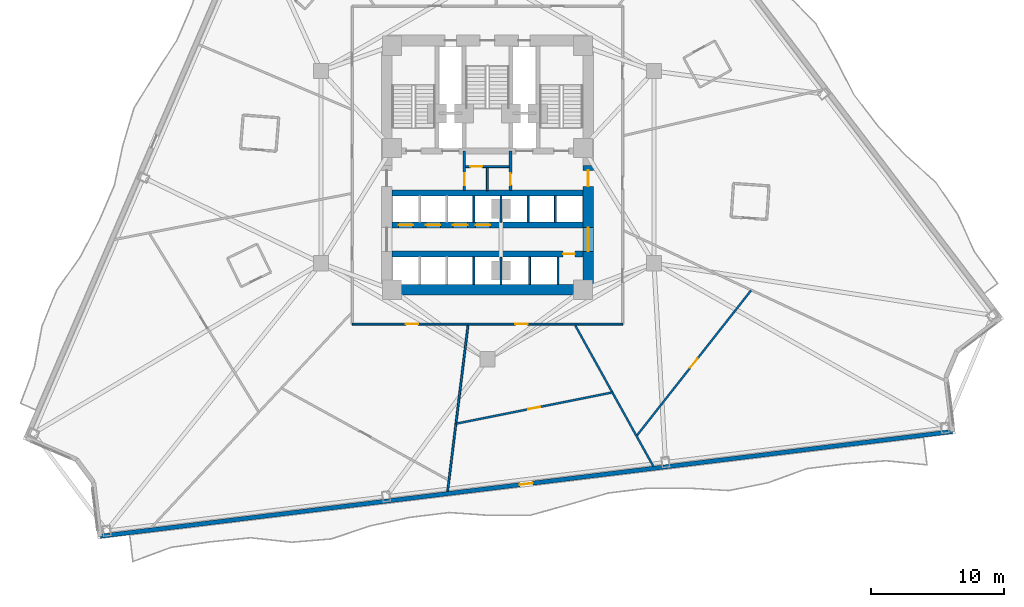
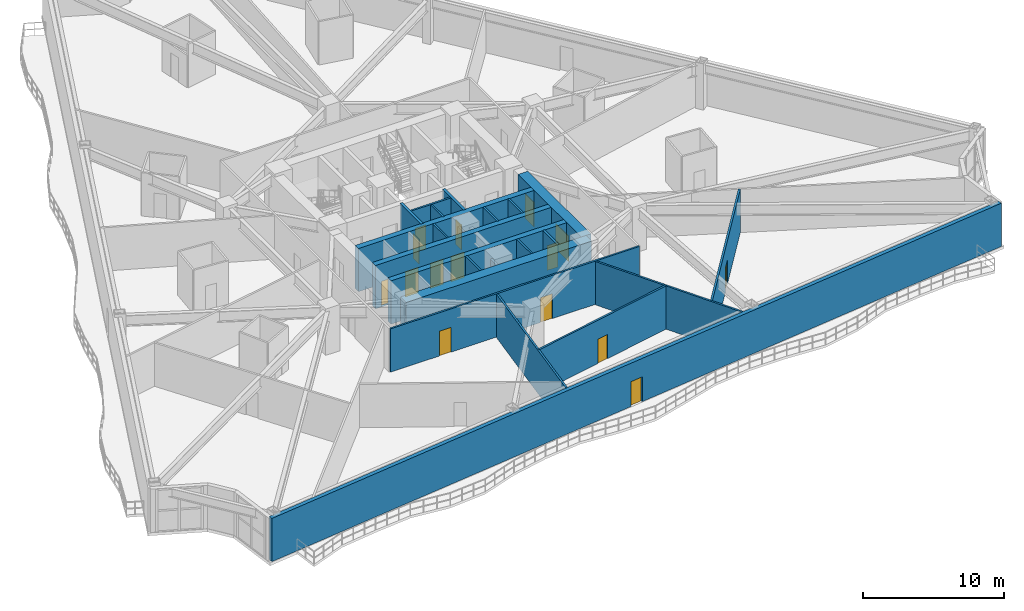
# One storey, part 8 of 17: 23 walls, 15 doors, 15 openings.
"""IFC4 building model written with IfcOpenShell, lengths in metres."""

from ifc_helpers import new_model, si_unit, direction, frame, frame_2d, origin, place, context, subcontext, project, spatial, rectangle, extrude, material, layer, layer_set, type_object, element, fill, save


model = new_model("IFC4")

# Units and contexts
model_context = context("Model", 3, precision=1e-05, world=origin(), true_north=direction((0.0, 1.0)))
body_context = subcontext(model_context, "Body", "Model", "MODEL_VIEW")
ifc_project = project(units=[si_unit("LENGTHUNIT", "METRE"), si_unit("AREAUNIT", "SQUARE_METRE"), si_unit("VOLUMEUNIT", "CUBIC_METRE"), si_unit("PLANEANGLEUNIT", "RADIAN"), si_unit("MASSUNIT", "GRAM", prefix="KILO")], contexts=[model_context])

# Site, building, storey
site_placement = place(None, origin())
site = spatial("IfcSite", under=ifc_project, at=site_placement, CompositionType="ELEMENT")
building_placement = place(site_placement, origin())
building = spatial("IfcBuilding", under=site, at=building_placement, Name="Apsidion Concourse Tower", CompositionType="ELEMENT")
storey_placement = place(building_placement, frame((0.0, 0.0, 75.0)))
storey = spatial("IfcBuildingStorey", under=building, at=storey_placement, Name="L16", CompositionType="ELEMENT", Elevation=75.0)

# Wall, opening, door
ifc_material_1 = material(Name="Precast concrete C40/50", Category="concrete")
ifc_layer_1 = layer(ifc_material_1, 0.320068359375)
ifc_layer_set_1 = layer_set([ifc_layer_1], Name="Precast concrete C40/50")
wall_type_1 = type_object("IfcWallType", Name="WL-EXT-320", PredefinedType="STANDARD", material=ifc_layer_set_1)
wall_1_placement = place(storey_placement, frame((35.0908203125, -19.961181640625, 0.0), z_axis=(0.0, 0.0, 1.0), x_axis=(-0.992546286146, -0.121868247946, 0.0)))
wall_1 = element("IfcWall", 1, at=wall_1_placement, inside=storey, type_object=wall_type_1, Name="L16 Precast Stone Facade Wall 05", PredefinedType="STANDARD", context=body_context, shape_type="SweptSolid", body=[
    extrude(rectangle(XDim=64.793212890625, YDim=0.320068359375, at=frame_2d((32.396484375, 0.0))), origin(), (0.0, 0.0, 1.0), 3.75),
])
opening_1_placement = place(wall_1_placement, frame((31.896728515625, 0.0, 0.0)))
opening_1 = element("IfcOpeningElement", 2, at=opening_1_placement, cuts=wall_1, Name="Opening D-T1R", PredefinedType="OPENING", context=body_context, shape_type="SweptSolid", body=[
    extrude(rectangle(XDim=1.0, YDim=2.14990234375, at=frame_2d((0.5, 1.074951171875))), frame((0.0, 0.169921875, 0.0), z_axis=(0.0, -1.0, 0.0), x_axis=(1.0, 0.0, 0.0)), (0.0, 0.0, 1.0), 0.340087890625),
])
ifc_material_2 = material(Name="Anodised aluminium EN AW-6063 T6", Category="aluminium")
door_type_1 = type_object("IfcDoorType", Name="DR-TER-1022R", OperationType="SINGLE_SWING_RIGHT", PredefinedType="DOOR", material=ifc_material_2)
door_1_placement = place(opening_1_placement, origin())
door_1 = element("IfcDoor", 3, at=door_1_placement, inside=storey, type_object=door_type_1, Name="L16 Balcony Access Door 2", OperationType="SINGLE_SWING_RIGHT", OverallHeight=2.14990234375, OverallWidth=1.0, PredefinedType="DOOR", context=body_context, shape_type="SweptSolid", body=[
    extrude(rectangle(XDim=1.0, YDim=2.14990234375, at=frame_2d((0.5, 1.074951171875))), frame((0.0, 0.02490234375, 0.0), z_axis=(0.0, -1.0, 0.0), x_axis=(1.0, 0.0, 0.0)), (0.0, 0.0, 1.0), 0.050048828125),
])
fill(opening_1, door_1)

# Walls
ifc_material_3 = material(Name="Gypsum plasterboard partition")
ifc_layer_2 = layer(ifc_material_3, 0.14990234375)
ifc_layer_set_2 = layer_set([ifc_layer_2], Name="Gypsum plasterboard partition")
wall_type_2 = type_object("IfcWallType", Name="WL-INT-PAR-150", PredefinedType="PARTITIONING", material=ifc_layer_set_2)
for number, where, z_axis, x_axis, name in (
    (4, (-1.02490234375, -4.179931640625, 0.0), (0.0, 0.0, 1.0), (0.0, 1.0, 0.0), "L16 Interior Partition WL-L16-B1DIV-3"),
    (5, (3.074951171875, -4.179931640625, 0.0), (0.0, 0.0, 1.0), (0.0, 1.0, 0.0), "L16 Interior Partition WL-L16-B3DIV-1"),
    (6, (5.125, -4.179931640625, 0.0), (0.0, 0.0, 1.0), (0.0, 1.0, 0.0), "L16 Interior Partition WL-L16-B3DIV-2"),
):
    element("IfcWall", number, at=place(storey_placement, frame(where, z_axis=z_axis, x_axis=x_axis)), inside=storey, type_object=wall_type_2, Name=name, PredefinedType="PARTITIONING", context=body_context, shape_type="SweptSolid", body=[
        extrude(rectangle(XDim=2.030029296875, YDim=0.14990234375, at=frame_2d((1.01513671875, 0.0))), origin(), (0.0, 0.0, 1.0), 3.75),
    ])
for number, where, z_axis, x_axis, name in (
    (7, (-1.02490234375, -8.85009765625, 0.0), (0.0, 0.0, 1.0), (0.0, 1.0, 0.0), "L16 Interior Partition WL-L16-B2DIV-3"),
    (8, (3.175048828125, -8.85009765625, 0.0), (0.0, 0.0, 1.0), (0.0, 1.0, 0.0), "L16 Interior Partition WL-L16-SHDIV-1"),
):
    element("IfcWall", number, at=place(storey_placement, frame(where, z_axis=z_axis, x_axis=x_axis)), inside=storey, type_object=wall_type_2, Name=name, PredefinedType="PARTITIONING", context=body_context, shape_type="SweptSolid", body=[
        extrude(rectangle(XDim=2.080078125, YDim=0.14990234375, at=frame_2d((1.0400390625, 0.0))), origin(), (0.0, 0.0, 1.0), 3.75),
    ])

# Wall, opening, door
wall_2_placement = place(storey_placement, frame((-1.639892578125, 0.0400390625, 0.0), z_axis=(0.0, 0.0, 1.0), x_axis=(1.0, 0.0, 0.0)))
wall_2 = element("IfcWall", 9, at=wall_2_placement, inside=storey, type_object=wall_type_2, Name="L16 Interior Partition WL-L16-K4H", PredefinedType="PARTITIONING", context=body_context, shape_type="SweptSolid", body=[
    extrude(rectangle(XDim=3.27978515625, YDim=0.14990234375, at=frame_2d((1.639892578125, 0.0))), origin(), (0.0, 0.0, 1.0), 3.75),
])
opening_2_placement = place(wall_2_placement, frame((0.360107421875, 0.0, 0.0)))
opening_2 = element("IfcOpeningElement", 10, at=opening_2_placement, cuts=wall_2, Name="Opening D-03L", PredefinedType="OPENING", context=body_context, shape_type="SweptSolid", body=[
    extrude(rectangle(XDim=0.8798828125, YDim=2.10009765625, at=frame_2d((0.43994140625, 1.050048828125))), frame((0.0, 0.0849609375, 0.0), z_axis=(0.0, -1.0, 0.0), x_axis=(1.0, 0.0, 0.0)), (0.0, 0.0, 1.0), 0.169921875),
])
door_type_2 = type_object("IfcDoorType", Name="DR-INT-D03L", OperationType="SINGLE_SWING_LEFT", PredefinedType="DOOR", material=ifc_material_2)
door_2_placement = place(opening_2_placement, origin())
door_2 = element("IfcDoor", 11, at=door_2_placement, inside=storey, type_object=door_type_2, Name="L16 Core Telecoms Door", OperationType="SINGLE_SWING_LEFT", OverallHeight=2.10009765625, OverallWidth=0.8798828125, PredefinedType="DOOR", context=body_context, shape_type="SweptSolid", body=[
    extrude(rectangle(XDim=0.8798828125, YDim=2.10009765625, at=frame_2d((0.43994140625, 1.050048828125))), frame((0.0, 0.02490234375, 0.0), z_axis=(0.0, -1.0, 0.0), x_axis=(1.0, 0.0, 0.0)), (0.0, 0.0, 1.0), 0.050048828125),
])
fill(opening_2, door_2)

# Wall
wall_3_placement = place(storey_placement, frame((0.0, -1.780029296875, 0.0), z_axis=(0.0, 0.0, 1.0), x_axis=(0.0, 1.0, 0.0)))
element("IfcWall", 12, at=wall_3_placement, inside=storey, type_object=wall_type_2, Name="L16 Interior Partition WL-L16-K4V", PredefinedType="PARTITIONING", context=body_context, shape_type="SweptSolid", body=[
    extrude(rectangle(XDim=1.72998046875, YDim=0.14990234375, at=frame_2d((0.864990234375, 0.0))), origin(), (0.0, 0.0, 1.0), 3.75),
])

# Wall, openings, doors
wall_4_placement = place(storey_placement, frame((10.199951171875, -11.85009765625, 0.0), z_axis=(0.0, 0.0, 1.0), x_axis=(-1.0, 0.0, 0.0)))
wall_4 = element("IfcWall", 13, at=wall_4_placement, inside=storey, type_object=wall_type_2, Name="L16 Interior Partition WL-L16-CORR-03", PredefinedType="PARTITIONING", context=body_context, shape_type="SweptSolid", body=[
    extrude(rectangle(XDim=20.39990234375, YDim=0.14990234375, at=frame_2d((10.199951171875, 0.0))), origin(), (0.0, 0.0, 1.0), 3.75),
])
opening_3_placement = place(wall_4_placement, frame((15.430908203125, 0.0, 0.0)))
opening_3 = element("IfcOpeningElement", 14, at=opening_3_placement, cuts=wall_4, Name="Opening D-01R", PredefinedType="OPENING", context=body_context, shape_type="SweptSolid", body=[
    extrude(rectangle(XDim=0.949951171875, YDim=2.14990234375, at=frame_2d((0.47509765625, 1.074951171875))), frame((0.0, 0.0849609375, 0.0), z_axis=(0.0, -1.0, 0.0), x_axis=(1.0, 0.0, 0.0)), (0.0, 0.0, 1.0), 0.169921875),
])
opening_4_placement = place(wall_4_placement, frame((7.1484375, 0.0, 0.0)))
opening_4 = element("IfcOpeningElement", 15, at=opening_4_placement, cuts=wall_4, Name="Opening D-01L", PredefinedType="OPENING", context=body_context, shape_type="SweptSolid", body=[
    extrude(rectangle(XDim=0.949951171875, YDim=2.14990234375, at=frame_2d((0.47509765625, 1.074951171875))), frame((0.0, 0.0849609375, 0.0), z_axis=(0.0, -1.0, 0.0), x_axis=(1.0, 0.0, 0.0)), (0.0, 0.0, 1.0), 0.169921875),
])
ifc_material_4 = material(Name="Brushed stainless steel 316", Category="steel")
door_type_3 = type_object("IfcDoorType", Name="DR-INT-D01L", OperationType="SINGLE_SWING_LEFT", PredefinedType="DOOR", material=ifc_material_4)
door_3_placement = place(opening_4_placement, origin())
door_3 = element("IfcDoor", 16, at=door_3_placement, inside=storey, type_object=door_type_3, Name="L16 Corridor Entry Door 03", OperationType="SINGLE_SWING_LEFT", OverallHeight=2.14990234375, OverallWidth=0.949951171875, PredefinedType="DOOR", context=body_context, shape_type="SweptSolid", body=[
    extrude(rectangle(XDim=0.949951171875, YDim=2.14990234375, at=frame_2d((0.47509765625, 1.074951171875))), frame((0.0, 0.02490234375, 0.0), z_axis=(0.0, -1.0, 0.0), x_axis=(1.0, 0.0, 0.0)), (0.0, 0.0, 1.0), 0.050048828125),
])
fill(opening_4, door_3)
door_type_4 = type_object("IfcDoorType", Name="DR-INT-D01R", OperationType="SINGLE_SWING_RIGHT", PredefinedType="DOOR", material=ifc_material_4)
door_4_placement = place(opening_3_placement, origin())
door_4 = element("IfcDoor", 17, at=door_4_placement, inside=storey, type_object=door_type_4, Name="L16 Corridor Entry Door 02", OperationType="SINGLE_SWING_RIGHT", OverallHeight=2.14990234375, OverallWidth=0.949951171875, PredefinedType="DOOR", context=body_context, shape_type="SweptSolid", body=[
    extrude(rectangle(XDim=0.949951171875, YDim=2.14990234375, at=frame_2d((0.47509765625, 1.074951171875))), frame((0.0, 0.02490234375, 0.0), z_axis=(0.0, -1.0, 0.0), x_axis=(1.0, 0.0, 0.0)), (0.0, 0.0, 1.0), 0.050048828125),
])
fill(opening_3, door_4)

# Walls
wall_5_placement = place(storey_placement, frame((-1.468017578125, -11.955078125, 0.0), z_axis=(0.0, 0.0, 1.0), x_axis=(-0.121866856939, -0.992546456938, 0.0)))
element("IfcWall", 18, at=wall_5_placement, inside=storey, type_object=wall_type_2, Name="L16 Interior Partition WL-L16-RAD-08-1", PredefinedType="PARTITIONING", context=body_context, shape_type="SweptSolid", body=[
    extrude(rectangle(XDim=12.60107421875, YDim=0.14990234375, at=frame_2d((6.300537109375, 0.0))), origin(), (0.0, 0.0, 1.0), 3.75),
])
wall_6_placement = place(storey_placement, frame((6.626708984375, -11.955078125, 0.0), z_axis=(0.0, 0.0, 1.0), x_axis=(0.484815133675, -0.874616650973, 0.0)))
element("IfcWall", 19, at=wall_6_placement, inside=storey, type_object=wall_type_2, Name="L16 Interior Partition WL-L16-RAD-09-1", PredefinedType="PARTITIONING", context=body_context, shape_type="SweptSolid", body=[
    extrude(rectangle(XDim=12.123046875, YDim=0.14990234375, at=frame_2d((6.0615234375, 0.0))), origin(), (0.0, 0.0, 1.0), 3.75),
])

# Wall, opening, door
wall_7_placement = place(storey_placement, frame((-2.351806640625, -19.359130859375, 0.0), z_axis=(0.0, 0.0, 1.0), x_axis=(0.980583809713, 0.196100464376, 0.0)))
wall_7 = element("IfcWall", 20, at=wall_7_placement, inside=storey, type_object=wall_type_2, Name="L16 Interior Partition WL-L16-CHD-HXS02", PredefinedType="PARTITIONING", context=body_context, shape_type="SweptSolid", body=[
    extrude(rectangle(XDim=11.984130859375, YDim=0.14990234375, at=frame_2d((5.9921875, 0.0))), origin(), (0.0, 0.0, 1.0), 3.75),
])
opening_5_placement = place(wall_7_placement, frame((5.5419921875, 0.0, 0.0)))
opening_5 = element("IfcOpeningElement", 21, at=opening_5_placement, cuts=wall_7, Name="Opening D-02R", PredefinedType="OPENING", context=body_context, shape_type="SweptSolid", body=[
    extrude(rectangle(XDim=0.89990234375, YDim=2.10009765625, at=frame_2d((0.449951171875, 1.050048828125))), frame((0.0, 0.0849609375, 0.0), z_axis=(0.0, -1.0, 0.0), x_axis=(1.0, 0.0, 0.0)), (0.0, 0.0, 1.0), 0.169921875),
])
door_type_5 = type_object("IfcDoorType", Name="DR-INT-D02R", OperationType="SINGLE_SWING_RIGHT", PredefinedType="DOOR", material=ifc_material_2)
door_5_placement = place(opening_5_placement, origin())
door_5 = element("IfcDoor", 22, at=door_5_placement, inside=storey, type_object=door_type_5, Name="L16 Suite Connecting Door HXS02", OperationType="SINGLE_SWING_RIGHT", OverallHeight=2.10009765625, OverallWidth=0.89990234375, PredefinedType="DOOR", context=body_context, shape_type="SweptSolid", body=[
    extrude(rectangle(XDim=0.89990234375, YDim=2.10009765625, at=frame_2d((0.449951171875, 1.050048828125))), frame((0.0, 0.02490234375, 0.0), z_axis=(0.0, -1.0, 0.0), x_axis=(1.0, 0.0, 0.0)), (0.0, 0.0, 1.0), 0.050048828125),
])
fill(opening_5, door_5)

wall_8_placement = place(storey_placement, frame((11.265380859375, -20.271484375, 0.0), z_axis=(0.0, 0.0, 1.0), x_axis=(0.618279646064, 0.785958191803, 0.0)))
wall_8 = element("IfcWall", 23, at=wall_8_placement, inside=storey, type_object=wall_type_2, Name="L16 Interior Partition WL-L16-CHD-HXS03", PredefinedType="PARTITIONING", context=body_context, shape_type="SweptSolid", body=[
    extrude(rectangle(XDim=13.954345703125, YDim=0.14990234375, at=frame_2d((6.97705078125, 0.0))), origin(), (0.0, 0.0, 1.0), 3.75),
])
opening_6_placement = place(wall_8_placement, frame((6.52734375, 0.0, 0.0)))
opening_6 = element("IfcOpeningElement", 24, at=opening_6_placement, cuts=wall_8, Name="Opening D-02L", PredefinedType="OPENING", context=body_context, shape_type="SweptSolid", body=[
    extrude(rectangle(XDim=0.89990234375, YDim=2.10009765625, at=frame_2d((0.449951171875, 1.050048828125))), frame((0.0, 0.0849609375, 0.0), z_axis=(0.0, -1.0, 0.0), x_axis=(1.0, 0.0, 0.0)), (0.0, 0.0, 1.0), 0.169921875),
])
door_type_6 = type_object("IfcDoorType", Name="DR-INT-D02L", OperationType="SINGLE_SWING_LEFT", PredefinedType="DOOR", material=ifc_material_2)
door_6_placement = place(opening_6_placement, origin())
door_6 = element("IfcDoor", 25, at=door_6_placement, inside=storey, type_object=door_type_6, Name="L16 Suite Connecting Door HXS03", OperationType="SINGLE_SWING_LEFT", OverallHeight=2.10009765625, OverallWidth=0.89990234375, PredefinedType="DOOR", context=body_context, shape_type="SweptSolid", body=[
    extrude(rectangle(XDim=0.89990234375, YDim=2.10009765625, at=frame_2d((0.449951171875, 1.050048828125))), frame((0.0, 0.02490234375, 0.0), z_axis=(0.0, -1.0, 0.0), x_axis=(1.0, 0.0, 0.0)), (0.0, 0.0, 1.0), 0.050048828125),
])
fill(opening_6, door_6)

# Walls
ifc_layer_3 = layer(ifc_material_3, 0.179931640625)
ifc_layer_set_3 = layer_set([ifc_layer_3], Name="Gypsum plasterboard partition")
wall_type_3 = type_object("IfcWallType", Name="WL-INT-PAR-180", PredefinedType="PARTITIONING", material=ifc_layer_set_3)
wall_9_placement = place(storey_placement, frame((1.02490234375, -4.179931640625, 0.0), z_axis=(0.0, 0.0, 1.0), x_axis=(0.0, 1.0, 0.0)))
element("IfcWall", 26, at=wall_9_placement, inside=storey, type_object=wall_type_3, Name="L16 Interior Partition WL-L16-B1END", PredefinedType="PARTITIONING", context=body_context, shape_type="SweptSolid", body=[
    extrude(rectangle(XDim=2.030029296875, YDim=0.179931640625, at=frame_2d((1.01513671875, 0.0))), origin(), (0.0, 0.0, 1.0), 2.798095703125),
])
wall_10_placement = place(storey_placement, frame((1.02490234375, -8.85009765625, 0.0), z_axis=(0.0, 0.0, 1.0), x_axis=(0.0, 1.0, 0.0)))
element("IfcWall", 27, at=wall_10_placement, inside=storey, type_object=wall_type_3, Name="L16 Interior Partition WL-L16-B2END", PredefinedType="PARTITIONING", context=body_context, shape_type="SweptSolid", body=[
    extrude(rectangle(XDim=2.080078125, YDim=0.179931640625, at=frame_2d((1.0400390625, 0.0))), origin(), (0.0, 0.0, 1.0), 2.798095703125),
])
wall_11_placement = place(storey_placement, frame((5.324951171875, -8.85009765625, 0.0), z_axis=(0.0, 0.0, 1.0), x_axis=(0.0, 1.0, 0.0)))
element("IfcWall", 28, at=wall_11_placement, inside=storey, type_object=wall_type_3, Name="L16 Interior Partition WL-L16-SHDIV-2", PredefinedType="PARTITIONING", context=body_context, shape_type="SweptSolid", body=[
    extrude(rectangle(XDim=2.080078125, YDim=0.179931640625, at=frame_2d((1.0400390625, 0.0))), origin(), (0.0, 0.0, 1.0), 3.75),
])

# Wall, opening, door
ifc_layer_4 = layer(ifc_material_3, 0.199951171875)
ifc_layer_set_4 = layer_set([ifc_layer_4], Name="Gypsum plasterboard partition")
wall_type_4 = type_object("IfcWallType", Name="WL-INT-PAR-200", PredefinedType="PARTITIONING", material=ifc_layer_set_4)
wall_12_placement = place(storey_placement, frame((-1.739990234375, -1.780029296875, 0.0), z_axis=(0.0, 0.0, 1.0), x_axis=(0.0, 1.0, 0.0)))
wall_12 = element("IfcWall", 29, at=wall_12_placement, inside=storey, type_object=wall_type_4, Name="L16 Interior Partition WL-L16-FF1-E", PredefinedType="PARTITIONING", context=body_context, shape_type="SweptSolid", body=[
    extrude(rectangle(XDim=2.97998046875, YDim=0.199951171875, at=frame_2d((1.489990234375, 0.0))), origin(), (0.0, 0.0, 1.0), 3.75),
])
opening_7_placement = place(wall_12_placement, frame((0.419921875, 0.0, 0.0)))
opening_7 = element("IfcOpeningElement", 30, at=opening_7_placement, cuts=wall_12, Name="Opening D-05R", PredefinedType="OPENING", context=body_context, shape_type="SweptSolid", body=[
    extrude(rectangle(XDim=0.8798828125, YDim=2.14990234375, at=frame_2d((0.43994140625, 1.074951171875))), frame((0.0, 0.10986328125, 0.0), z_axis=(0.0, -1.0, 0.0), x_axis=(1.0, 0.0, 0.0)), (0.0, 0.0, 1.0), 0.219970703125),
])
door_type_7 = type_object("IfcDoorType", Name="DR-INT-D05R", OperationType="SINGLE_SWING_RIGHT", PredefinedType="DOOR", material=ifc_material_4)
door_7_placement = place(opening_7_placement, origin())
door_7 = element("IfcDoor", 31, at=door_7_placement, inside=storey, type_object=door_type_7, Name="L16 Core Switch Room Door", OperationType="SINGLE_SWING_RIGHT", OverallHeight=2.14990234375, OverallWidth=0.8798828125, PredefinedType="DOOR", context=body_context, shape_type="SweptSolid", body=[
    extrude(rectangle(XDim=0.8798828125, YDim=2.14990234375, at=frame_2d((0.43994140625, 1.074951171875))), frame((0.0, 0.02490234375, 0.0), z_axis=(0.0, -1.0, 0.0), x_axis=(1.0, 0.0, 0.0)), (0.0, 0.0, 1.0), 0.050048828125),
])
fill(opening_7, door_7)

wall_13_placement = place(storey_placement, frame((1.739990234375, -1.780029296875, 0.0), z_axis=(0.0, 0.0, 1.0), x_axis=(0.0, 1.0, 0.0)))
wall_13 = element("IfcWall", 32, at=wall_13_placement, inside=storey, type_object=wall_type_4, Name="L16 Interior Partition WL-L16-FF2-W", PredefinedType="PARTITIONING", context=body_context, shape_type="SweptSolid", body=[
    extrude(rectangle(XDim=2.97998046875, YDim=0.199951171875, at=frame_2d((1.489990234375, 0.0))), origin(), (0.0, 0.0, 1.0), 3.75),
])
opening_8_placement = place(wall_13_placement, frame((0.419921875, 0.0, 0.0)))
opening_8 = element("IfcOpeningElement", 33, at=opening_8_placement, cuts=wall_13, Name="Opening D-05L", PredefinedType="OPENING", context=body_context, shape_type="SweptSolid", body=[
    extrude(rectangle(XDim=0.8798828125, YDim=2.14990234375, at=frame_2d((0.43994140625, 1.074951171875))), frame((0.0, 0.10986328125, 0.0), z_axis=(0.0, -1.0, 0.0), x_axis=(1.0, 0.0, 0.0)), (0.0, 0.0, 1.0), 0.219970703125),
])
door_type_8 = type_object("IfcDoorType", Name="DR-INT-D05L", OperationType="SINGLE_SWING_LEFT", PredefinedType="DOOR", material=ifc_material_4)
door_8_placement = place(opening_8_placement, origin())
door_8 = element("IfcDoor", 34, at=door_8_placement, inside=storey, type_object=door_type_8, Name="L16 Core First Aid Door", OperationType="SINGLE_SWING_LEFT", OverallHeight=2.14990234375, OverallWidth=0.8798828125, PredefinedType="DOOR", context=body_context, shape_type="SweptSolid", body=[
    extrude(rectangle(XDim=0.8798828125, YDim=2.14990234375, at=frame_2d((0.43994140625, 1.074951171875))), frame((0.0, 0.02490234375, 0.0), z_axis=(0.0, -1.0, 0.0), x_axis=(1.0, 0.0, 0.0)), (0.0, 0.0, 1.0), 0.050048828125),
])
fill(opening_8, door_8)

# Wall
ifc_material_5 = material(Name="Concrete C60/75", Category="concrete")
ifc_layer_5 = layer(ifc_material_5, 0.449951171875)
ifc_layer_set_5 = layer_set([ifc_layer_5], Name="Concrete C60/75")
wall_type_5 = type_object("IfcWallType", Name="WL-SH-450", PredefinedType="SHEAR", material=ifc_layer_set_5)
wall_14_placement = place(storey_placement, frame((-7.199951171875, -1.949951171875, 0.0), z_axis=(0.0, 0.0, 1.0), x_axis=(1.0, 0.0, 0.0)))
element("IfcWall", 35, at=wall_14_placement, inside=storey, type_object=wall_type_5, Name="L16 Central Core Shear Wall M2", PredefinedType="SHEAR", context=body_context, shape_type="SweptSolid", body=[
    extrude(rectangle(XDim=14.39990234375, YDim=0.449951171875, at=frame_2d((7.199951171875, 0.0))), origin(), (0.0, 0.0, 1.0), 3.75),
])

# Wall, openings, doors
wall_15_placement = place(storey_placement, frame((-7.199951171875, -4.3798828125, 0.0), z_axis=(0.0, 0.0, 1.0), x_axis=(1.0, 0.0, 0.0)))
wall_15 = element("IfcWall", 36, at=wall_15_placement, inside=storey, type_object=wall_type_5, Name="L16 Central Core Shear Wall LA", PredefinedType="SHEAR", context=body_context, shape_type="SweptSolid", body=[
    extrude(rectangle(XDim=14.39990234375, YDim=0.449951171875, at=frame_2d((7.199951171875, 0.0))), origin(), (0.0, 0.0, 1.0), 3.75),
])
opening_9_placement = place(wall_15_placement, frame((0.5, 0.0, 0.0)))
opening_9 = element("IfcOpeningElement", 37, at=opening_9_placement, cuts=wall_15, Name="Opening LD-P1", PredefinedType="OPENING", context=body_context, shape_type="SweptSolid", body=[
    extrude(rectangle(XDim=1.10009765625, YDim=2.199951171875, at=frame_2d((0.550048828125, 1.10009765625))), frame((0.0, 0.23486328125, 0.0), z_axis=(0.0, -1.0, 0.0), x_axis=(1.0, 0.0, 0.0)), (0.0, 0.0, 1.0), 0.469970703125),
])
opening_10_placement = place(wall_15_placement, frame((2.550048828125, 0.0, 0.0)))
opening_10 = element("IfcOpeningElement", 38, at=opening_10_placement, cuts=wall_15, Name="Opening LD-P1", PredefinedType="OPENING", context=body_context, shape_type="SweptSolid", body=[
    extrude(rectangle(XDim=1.10009765625, YDim=2.199951171875, at=frame_2d((0.550048828125, 1.10009765625))), frame((0.0, 0.23486328125, 0.0), z_axis=(0.0, -1.0, 0.0), x_axis=(1.0, 0.0, 0.0)), (0.0, 0.0, 1.0), 0.469970703125),
])
opening_11_placement = place(wall_15_placement, frame((4.60009765625, 0.0, 0.0)))
opening_11 = element("IfcOpeningElement", 39, at=opening_11_placement, cuts=wall_15, Name="Opening LD-P1", PredefinedType="OPENING", context=body_context, shape_type="SweptSolid", body=[
    extrude(rectangle(XDim=1.10009765625, YDim=2.199951171875, at=frame_2d((0.550048828125, 1.10009765625))), frame((0.0, 0.23486328125, 0.0), z_axis=(0.0, -1.0, 0.0), x_axis=(1.0, 0.0, 0.0)), (0.0, 0.0, 1.0), 0.469970703125),
])
opening_12_placement = place(wall_15_placement, frame((6.300048828125, 0.0, 0.0)))
opening_12 = element("IfcOpeningElement", 40, at=opening_12_placement, cuts=wall_15, Name="Opening LD-P1", PredefinedType="OPENING", context=body_context, shape_type="SweptSolid", body=[
    extrude(rectangle(XDim=1.10009765625, YDim=2.199951171875, at=frame_2d((0.550048828125, 1.10009765625))), frame((0.0, 0.23486328125, 0.0), z_axis=(0.0, -1.0, 0.0), x_axis=(1.0, 0.0, 0.0)), (0.0, 0.0, 1.0), 0.469970703125),
])
door_type_9 = type_object("IfcDoorType", Name="DR-LD-PASS", OperationType="DOUBLE_DOOR_SLIDING", PredefinedType="DOOR", material=ifc_material_4)
door_9_placement = place(opening_9_placement, origin())
door_9 = element("IfcDoor", 41, at=door_9_placement, inside=storey, type_object=door_type_9, Name="L16 Lift Landing Door P1", OperationType="DOUBLE_DOOR_SLIDING", OverallHeight=2.199951171875, OverallWidth=1.10009765625, PredefinedType="DOOR", context=body_context, shape_type="SweptSolid", body=[
    extrude(rectangle(XDim=1.10009765625, YDim=2.199951171875, at=frame_2d((0.550048828125, 1.10009765625))), frame((0.0, 0.02490234375, 0.0), z_axis=(0.0, -1.0, 0.0), x_axis=(1.0, 0.0, 0.0)), (0.0, 0.0, 1.0), 0.050048828125),
])
fill(opening_9, door_9)
door_10_placement = place(opening_10_placement, origin())
door_10 = element("IfcDoor", 42, at=door_10_placement, inside=storey, type_object=door_type_9, Name="L16 Lift Landing Door P2", OperationType="DOUBLE_DOOR_SLIDING", OverallHeight=2.199951171875, OverallWidth=1.10009765625, PredefinedType="DOOR", context=body_context, shape_type="SweptSolid", body=[
    extrude(rectangle(XDim=1.10009765625, YDim=2.199951171875, at=frame_2d((0.550048828125, 1.10009765625))), frame((0.0, 0.02490234375, 0.0), z_axis=(0.0, -1.0, 0.0), x_axis=(1.0, 0.0, 0.0)), (0.0, 0.0, 1.0), 0.050048828125),
])
fill(opening_10, door_10)
door_11_placement = place(opening_11_placement, origin())
door_11 = element("IfcDoor", 43, at=door_11_placement, inside=storey, type_object=door_type_9, Name="L16 Lift Landing Door P3", OperationType="DOUBLE_DOOR_SLIDING", OverallHeight=2.199951171875, OverallWidth=1.10009765625, PredefinedType="DOOR", context=body_context, shape_type="SweptSolid", body=[
    extrude(rectangle(XDim=1.10009765625, YDim=2.199951171875, at=frame_2d((0.550048828125, 1.10009765625))), frame((0.0, 0.02490234375, 0.0), z_axis=(0.0, -1.0, 0.0), x_axis=(1.0, 0.0, 0.0)), (0.0, 0.0, 1.0), 0.050048828125),
])
fill(opening_11, door_11)
door_12_placement = place(opening_12_placement, origin())
door_12 = element("IfcDoor", 44, at=door_12_placement, inside=storey, type_object=door_type_9, Name="L16 Lift Landing Door P4", OperationType="DOUBLE_DOOR_SLIDING", OverallHeight=2.199951171875, OverallWidth=1.10009765625, PredefinedType="DOOR", context=body_context, shape_type="SweptSolid", body=[
    extrude(rectangle(XDim=1.10009765625, YDim=2.199951171875, at=frame_2d((0.550048828125, 1.10009765625))), frame((0.0, 0.02490234375, 0.0), z_axis=(0.0, -1.0, 0.0), x_axis=(1.0, 0.0, 0.0)), (0.0, 0.0, 1.0), 0.050048828125),
])
fill(opening_12, door_12)

# Wall, opening, door
wall_16_placement = place(storey_placement, frame((-7.199951171875, -6.570068359375, 0.0), z_axis=(0.0, 0.0, 1.0), x_axis=(1.0, 0.0, 0.0)))
wall_16 = element("IfcWall", 45, at=wall_16_placement, inside=storey, type_object=wall_type_5, Name="L16 Central Core Shear Wall LB", PredefinedType="SHEAR", context=body_context, shape_type="SweptSolid", body=[
    extrude(rectangle(XDim=14.39990234375, YDim=0.449951171875, at=frame_2d((7.199951171875, 0.0))), origin(), (0.0, 0.0, 1.0), 3.75),
])
opening_13_placement = place(wall_16_placement, frame((12.909912109375, 0.0, 0.0)))
opening_13 = element("IfcOpeningElement", 46, at=opening_13_placement, cuts=wall_16, Name="Opening D-05L", PredefinedType="OPENING", context=body_context, shape_type="SweptSolid", body=[
    extrude(rectangle(XDim=0.8798828125, YDim=2.14990234375, at=frame_2d((0.43994140625, 1.074951171875))), frame((0.0, 0.23486328125, 0.0), z_axis=(0.0, -1.0, 0.0), x_axis=(1.0, 0.0, 0.0)), (0.0, 0.0, 1.0), 0.469970703125),
])
door_13_placement = place(opening_13_placement, origin())
door_13 = element("IfcDoor", 47, at=door_13_placement, inside=storey, type_object=door_type_8, Name="L16 Cleaners Store Door", OperationType="SINGLE_SWING_LEFT", OverallHeight=2.14990234375, OverallWidth=0.8798828125, PredefinedType="DOOR", context=body_context, shape_type="SweptSolid", body=[
    extrude(rectangle(XDim=0.8798828125, YDim=2.14990234375, at=frame_2d((0.43994140625, 1.074951171875))), frame((0.0, 0.02490234375, 0.0), z_axis=(0.0, -1.0, 0.0), x_axis=(1.0, 0.0, 0.0)), (0.0, 0.0, 1.0), 0.050048828125),
])
fill(opening_13, door_13)

# Wall, openings, doors
ifc_layer_6 = layer(ifc_material_5, 0.800048828125)
ifc_layer_set_6 = layer_set([ifc_layer_6], Name="Concrete C60/75")
wall_type_6 = type_object("IfcWallType", Name="WL-SH-800", PredefinedType="SHEAR", material=ifc_layer_set_6)
wall_17_placement = place(storey_placement, frame((7.60009765625, -8.85009765625, 0.0), z_axis=(0.0, 0.0, 1.0), x_axis=(0.0, 1.0, 0.0)))
wall_17 = element("IfcWall", 48, at=wall_17_placement, inside=storey, type_object=wall_type_6, Name="L16 Central Core Shear Wall ES", PredefinedType="SHEAR", context=body_context, shape_type="SweptSolid", body=[
    extrude(rectangle(XDim=8.9501953125, YDim=0.800048828125, at=frame_2d((4.47509765625, 0.0))), origin(), (0.0, 0.0, 1.0), 3.75),
])
opening_14_placement = place(wall_17_placement, frame((2.489990234375, 0.0, 0.0)))
opening_14 = element("IfcOpeningElement", 49, at=opening_14_placement, cuts=wall_17, Name="Opening D-06D", PredefinedType="OPENING", context=body_context, shape_type="SweptSolid", body=[
    extrude(rectangle(XDim=1.800048828125, YDim=2.199951171875, at=frame_2d((0.89990234375, 1.10009765625))), frame((0.0, 0.41015625, 0.0), z_axis=(0.0, -1.0, 0.0), x_axis=(1.0, 0.0, 0.0)), (0.0, 0.0, 1.0), 0.820068359375),
])
opening_15_placement = place(wall_17_placement, frame((7.39990234375, 0.0, 0.0)))
opening_15 = element("IfcOpeningElement", 50, at=opening_15_placement, cuts=wall_17, Name="Opening D-FFR", PredefinedType="OPENING", context=body_context, shape_type="SweptSolid", body=[
    extrude(rectangle(XDim=1.199951171875, YDim=2.14990234375, at=frame_2d((0.60009765625, 1.074951171875))), frame((0.0, 0.41015625, 0.0), z_axis=(0.0, -1.0, 0.0), x_axis=(1.0, 0.0, 0.0)), (0.0, 0.0, 1.0), 0.820068359375),
])
door_type_10 = type_object("IfcDoorType", Name="DR-INT-D06D", OperationType="DOUBLE_DOOR_SINGLE_SWING", PredefinedType="DOOR", material=ifc_material_4)
door_14_placement = place(opening_14_placement, origin())
door_14 = element("IfcDoor", 51, at=door_14_placement, inside=storey, type_object=door_type_10, Name="L16 Passenger Lift Lobby ES Portal Door", OperationType="DOUBLE_DOOR_SINGLE_SWING", OverallHeight=2.199951171875, OverallWidth=1.800048828125, PredefinedType="DOOR", context=body_context, shape_type="SweptSolid", body=[
    extrude(rectangle(XDim=1.800048828125, YDim=2.199951171875, at=frame_2d((0.89990234375, 1.10009765625))), frame((0.0, 0.02490234375, 0.0), z_axis=(0.0, -1.0, 0.0), x_axis=(1.0, 0.0, 0.0)), (0.0, 0.0, 1.0), 0.050048828125),
])
fill(opening_14, door_14)
door_type_11 = type_object("IfcDoorType", Name="DR-INT-FFR", OperationType="SINGLE_SWING_RIGHT", PredefinedType="DOOR", material=ifc_material_4)
door_15_placement = place(opening_15_placement, origin())
door_15 = element("IfcDoor", 52, at=door_15_placement, inside=storey, type_object=door_type_11, Name="L16 Firefighting Lift Lobby FF2 Door", OperationType="SINGLE_SWING_RIGHT", OverallHeight=2.14990234375, OverallWidth=1.199951171875, PredefinedType="DOOR", context=body_context, shape_type="SweptSolid", body=[
    extrude(rectangle(XDim=1.199951171875, YDim=2.14990234375, at=frame_2d((0.60009765625, 1.074951171875))), frame((0.0, 0.02490234375, 0.0), z_axis=(0.0, -1.0, 0.0), x_axis=(1.0, 0.0, 0.0)), (0.0, 0.0, 1.0), 0.050048828125),
])
fill(opening_15, door_15)

# Wall
wall_18_placement = place(storey_placement, frame((-7.60009765625, -9.25, 0.0), z_axis=(0.0, 0.0, 1.0), x_axis=(1.0, 0.0, 0.0)))
element("IfcWall", 53, at=wall_18_placement, inside=storey, type_object=wall_type_6, Name="L16 Central Core Shear Wall S", PredefinedType="SHEAR", context=body_context, shape_type="SweptSolid", body=[
    extrude(rectangle(XDim=15.2001953125, YDim=0.800048828125, at=frame_2d((7.60009765625, 0.0))), origin(), (0.0, 0.0, 1.0), 3.75),
])

save(model, "model.ifc")
